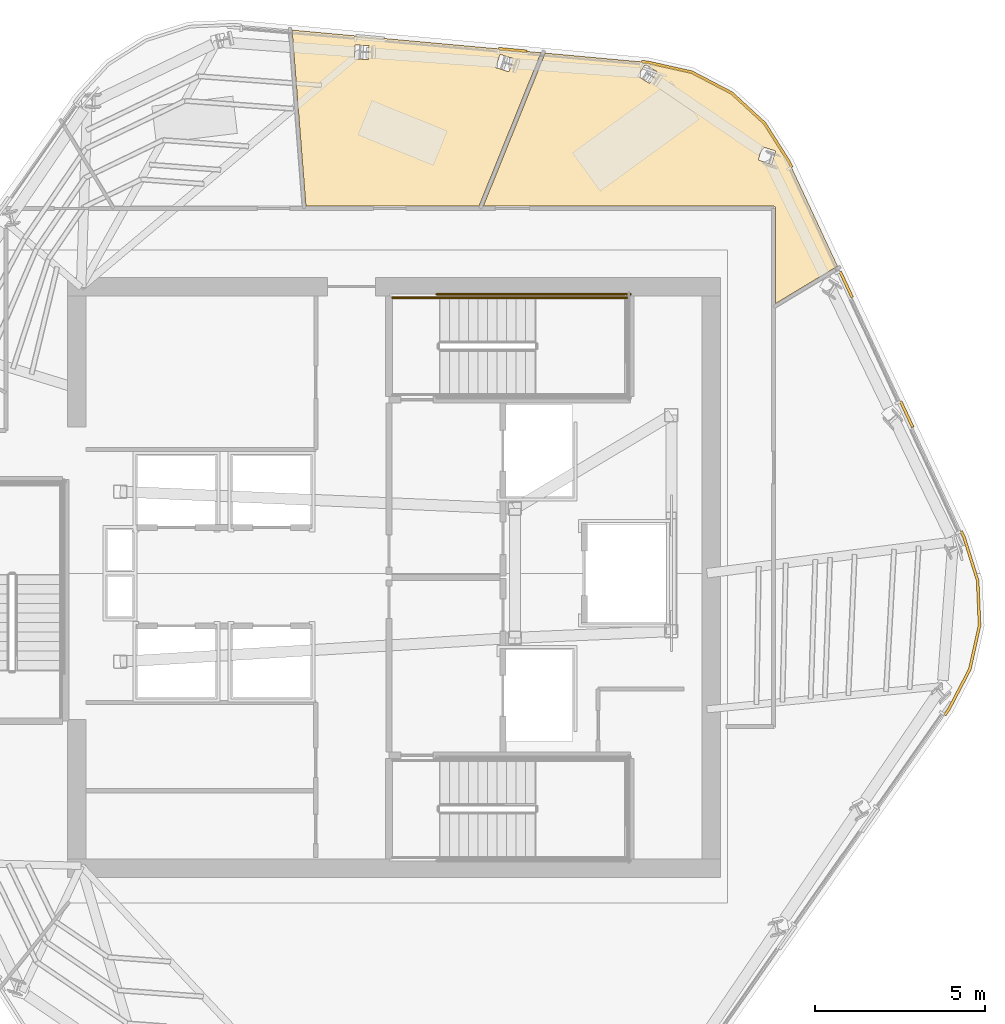
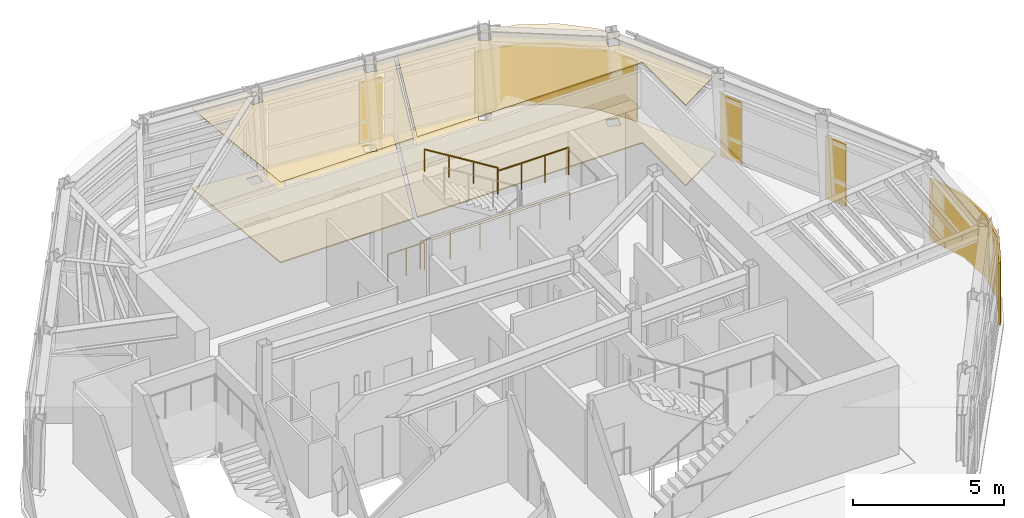
# One storey, part 11 of 12: 9 coverings, 4 railings.
"""IFC4 building model written with IfcOpenShell, lengths in metres."""

from ifc_helpers import new_model, si_unit, direction, frame, origin, origin_2d, place, context, subcontext, project, spatial, polyline, circle, outline, extrude, material, layer, layer_set, type_object, element, save


model = new_model("IFC4")

# Units and contexts
model_context = context("Model", 3, precision=1e-05, world=origin(), true_north=direction((0.0, 1.0)))
body_context = subcontext(model_context, "Body", "Model", "MODEL_VIEW")
ifc_project = project(units=[si_unit("LENGTHUNIT", "METRE"), si_unit("AREAUNIT", "SQUARE_METRE"), si_unit("VOLUMEUNIT", "CUBIC_METRE"), si_unit("PLANEANGLEUNIT", "RADIAN"), si_unit("MASSUNIT", "GRAM", prefix="KILO")], contexts=[model_context])

# Site, building, storey
site_placement = place(None, origin())
site = spatial("IfcSite", under=ifc_project, at=site_placement, CompositionType="ELEMENT")
building_placement = place(site_placement, origin())
building = spatial("IfcBuilding", under=site, at=building_placement, Name="Valkerne Bourse Tower", CompositionType="ELEMENT")
storey_placement = place(building_placement, frame((0.0, 0.0, 262.199951171875)))
storey = spatial("IfcBuildingStorey", under=building, at=storey_placement, Name="L66", CompositionType="ELEMENT", Elevation=262.199951171875)

# Coverings
ifc_material_1 = material(Name="Mineral Fiber Acoustic Ceiling Tile", Category="acoustic")
ifc_layer_1 = layer(ifc_material_1, 0.02490234375)
ifc_layer_set_1 = layer_set([ifc_layer_1], Name="Mineral Fiber Acoustic Ceiling Tile")
covering_type_1 = type_object("IfcCoveringType", Name="COV-CEIL-ACT", PredefinedType="CEILING", material=ifc_layer_set_1)
covering_1_placement = place(storey_placement, frame((0.0, 0.0, 3.25)))
element("IfcCovering", 1, at=covering_1_placement, inside=storey, type_object=covering_type_1, Name="L66 Suspended Ceiling 04", PredefinedType="CEILING", context=body_context, shape_type="SweptSolid", body=[
    extrude(outline(polyline([(44.210205078125, 37.7890625), (43.802734375, 42.964599609375), (51.117919921875, 42.299560546875), (49.29541015625, 37.7890625), (44.210205078125, 37.7890625)]), holes=[polyline([(46.043701171875, 42.10302734375), (46.056884765625, 42.51220703125), (45.6513671875, 42.525390625), (45.649169921875, 42.525146484375), (45.6357421875, 42.1162109375), (46.04150390625, 42.102783203125), (46.043701171875, 42.10302734375)]), polyline([(50.302978515625, 42.129638671875), (49.916015625, 42.252685546875), (49.913818359375, 42.253173828125), (49.789794921875, 41.863037109375), (50.1767578125, 41.739990234375), (50.178955078125, 41.739501953125), (50.302978515625, 42.129638671875)])]), origin(), (0.0, 0.0, 1.0), 0.025146484375),
])
covering_2_placement = place(storey_placement, frame((0.0, 0.0, 3.25)))
element("IfcCovering", 2, at=covering_2_placement, inside=storey, type_object=covering_type_1, Name="L66 Suspended Ceiling 06", PredefinedType="CEILING", context=body_context, shape_type="SweptSolid", body=[
    extrude(outline(polyline([(56.718994140625, 41.11328125), (57.6904296875, 40.22021484375), (58.402587890625, 39.097900390625), (59.833740234375, 36.02783203125), (58.01904296875, 34.931884765625), (58.01904296875, 37.720703125), (58.001708984375, 37.76611328125), (57.9609375, 37.7880859375), (49.422607421875, 37.7890625), (51.240478515625, 42.28857421875), (54.25244140625, 42.0146484375), (55.549560546875, 41.724609375), (56.718994140625, 41.11328125)]), holes=[polyline([(58.015380859375, 39.413818359375), (57.625, 39.5341796875), (57.50439453125, 39.145751953125), (57.506103515625, 39.144287109375), (57.896484375, 39.023681640625), (58.01708984375, 39.412109375), (58.015380859375, 39.413818359375)]), polyline([(54.185302734375, 41.959716796875), (54.18310546875, 41.960693359375), (53.96435546875, 41.61474609375), (54.307373046875, 41.397705078125), (54.309326171875, 41.396484375), (54.5283203125, 41.742431640625), (54.185302734375, 41.959716796875)])]), origin(), (0.0, 0.0, 1.0), 0.025146484375),
])
ifc_material_2 = material(Name="Bronze Anodised Aluminium AA 6063-T6", Category="aluminium")
ifc_layer_2 = layer(ifc_material_2, 0.06005859375)
ifc_layer_set_2 = layer_set([ifc_layer_2], Name="Bronze Anodised Aluminium AA 6063-T6")
covering_type_2 = type_object("IfcCoveringType", Name="COV-CRN-ALUM", PredefinedType="CLADDING", material=ifc_layer_set_2)
covering_3_placement = place(storey_placement, origin())
element("IfcCovering", 3, at=covering_3_placement, inside=storey, type_object=covering_type_2, Name="L66 Wind-Shaped Corner Aluminium Cladding 01", PredefinedType="CLADDING", context=body_context, shape_type="SweptSolid", body=[
    extrude(outline(polyline([(63.99365234375, 26.79052734375), (64.04931640625, 25.460693359375), (63.759033203125, 24.16162109375), (63.139404296875, 22.97607421875), (63.021240234375, 22.80859375), (62.955810546875, 22.8544921875), (63.07080078125, 23.017822265625), (63.683349609375, 24.189208984375), (63.968994140625, 25.4677734375), (63.914306640625, 26.776611328125), (63.518798828125, 28.0380859375), (63.4345703125, 28.218994140625), (63.507080078125, 28.252685546875), (63.59375, 28.06689453125), (63.99365234375, 26.79052734375)])), origin(), (0.0, 0.0, 1.0), 2.5),
])
covering_4_placement = place(storey_placement, origin())
element("IfcCovering", 4, at=covering_4_placement, inside=storey, type_object=covering_type_2, Name="L66 Wind-Shaped Corner Aluminium Cladding 15", PredefinedType="CLADDING", context=body_context, shape_type="SweptSolid", body=[
    extrude(outline(polyline([(50.708740234375, 42.381103515625), (50.70166015625, 42.30126953125), (49.864990234375, 42.37744140625), (49.872314453125, 42.45703125), (50.708740234375, 42.381103515625)])), origin(), (0.0, 0.0, 1.0), 2.5),
])
covering_5_placement = place(storey_placement, origin())
element("IfcCovering", 5, at=covering_5_placement, inside=storey, type_object=covering_type_2, Name="L66 Wind-Shaped Corner Aluminium Cladding 16", PredefinedType="CLADDING", context=body_context, shape_type="SweptSolid", body=[
    extrude(outline(polyline([(54.25927734375, 42.05810546875), (55.564697265625, 41.766357421875), (56.744384765625, 41.149658203125), (57.724365234375, 40.24853515625), (58.441162109375, 39.119140625), (58.522705078125, 38.944091796875), (58.4501953125, 38.910400390625), (58.370849609375, 39.08056640625), (57.66259765625, 40.19677734375), (56.697998046875, 41.083740234375), (55.537109375, 41.690673828125), (54.246826171875, 41.97900390625), (54.059814453125, 41.99609375), (54.06689453125, 42.07568359375), (54.25927734375, 42.05810546875)])), origin(), (0.0, 0.0, 1.0), 2.5),
])
covering_6_placement = place(storey_placement, origin())
element("IfcCovering", 6, at=covering_6_placement, inside=storey, type_object=covering_type_2, Name="L66 Wind-Shaped Corner Aluminium Cladding 17", PredefinedType="CLADDING", context=body_context, shape_type="SweptSolid", body=[
    extrude(outline(polyline([(60.302490234375, 35.12646484375), (60.22998046875, 35.0927734375), (59.875, 35.85400390625), (59.947509765625, 35.8876953125), (60.302490234375, 35.12646484375)])), origin(), (0.0, 0.0, 1.0), 2.5),
])
covering_7_placement = place(storey_placement, origin())
element("IfcCovering", 7, at=covering_7_placement, inside=storey, type_object=covering_type_2, Name="L66 Wind-Shaped Corner Aluminium Cladding 18", PredefinedType="CLADDING", context=body_context, shape_type="SweptSolid", body=[
    extrude(outline(polyline([(62.082275390625, 31.30908203125), (62.009765625, 31.275390625), (61.65478515625, 32.03662109375), (61.727294921875, 32.0703125), (62.082275390625, 31.30908203125)])), origin(), (0.0, 0.0, 1.0), 2.5),
])
ifc_material_3 = material(Name="Galvanised Painted Steel", Category="steel")
ifc_layer_3 = layer(ifc_material_3, 0.044921875)
ifc_layer_set_3 = layer_set([ifc_layer_3], Name="Galvanised Painted Steel")
covering_type_3 = type_object("IfcCoveringType", Name="COV-FLR-RAF", PredefinedType="FLOORING", material=ifc_layer_set_3)
covering_8_placement = place(storey_placement, origin())
element("IfcCovering", 8, at=covering_8_placement, inside=storey, type_object=covering_type_3, Name="L66 Floor Finish 04", PredefinedType="FLOORING", context=body_context, shape_type="SweptSolid", body=[
    extrude(outline(polyline([(44.210205078125, 37.7890625), (43.802734375, 42.964599609375), (51.117919921875, 42.299560546875), (49.29541015625, 37.7890625), (44.210205078125, 37.7890625)]), holes=[polyline([(46.043701171875, 42.10302734375), (46.056884765625, 42.51220703125), (45.6513671875, 42.525390625), (45.649169921875, 42.525146484375), (45.6357421875, 42.1162109375), (46.04150390625, 42.102783203125), (46.043701171875, 42.10302734375)]), polyline([(50.302978515625, 42.129638671875), (49.916015625, 42.252685546875), (49.913818359375, 42.253173828125), (49.789794921875, 41.863037109375), (50.1767578125, 41.739990234375), (50.178955078125, 41.739501953125), (50.302978515625, 42.129638671875)])]), origin(), (0.0, 0.0, 1.0), 0.045166015625),
])
covering_9_placement = place(storey_placement, origin())
element("IfcCovering", 9, at=covering_9_placement, inside=storey, type_object=covering_type_3, Name="L66 Floor Finish 06", PredefinedType="FLOORING", context=body_context, shape_type="SweptSolid", body=[
    extrude(outline(polyline([(56.718994140625, 41.11328125), (57.6904296875, 40.22021484375), (58.402587890625, 39.097900390625), (59.833740234375, 36.02783203125), (58.01904296875, 34.931884765625), (58.01904296875, 37.720703125), (58.001708984375, 37.76611328125), (57.9609375, 37.7880859375), (49.422607421875, 37.7890625), (51.240478515625, 42.28857421875), (54.25244140625, 42.0146484375), (55.549560546875, 41.724609375), (56.718994140625, 41.11328125)]), holes=[polyline([(58.015380859375, 39.413818359375), (57.625, 39.5341796875), (57.50439453125, 39.145751953125), (57.506103515625, 39.144287109375), (57.896484375, 39.023681640625), (58.01708984375, 39.412109375), (58.015380859375, 39.413818359375)]), polyline([(54.185302734375, 41.959716796875), (54.18310546875, 41.960693359375), (53.96435546875, 41.61474609375), (54.307373046875, 41.397705078125), (54.309326171875, 41.396484375), (54.5283203125, 41.742431640625), (54.185302734375, 41.959716796875)])]), origin(), (0.0, 0.0, 1.0), 0.045166015625),
])

# Railings
railing_type_1 = type_object("IfcRailingType", Name="RLG-ST-GUARD-1120", PredefinedType="GUARDRAIL", material=ifc_material_3)
railing_1_placement = place(storey_placement, frame((50.949951171875, 35.10009765625, 1.900146484375)))
element("IfcRailing", 10, at=railing_1_placement, inside=storey, type_object=railing_type_1, Name="L66 ST-2 stair guard 4", PredefinedType="GUARDRAIL", context=body_context, shape_type="SweptSolid", body=[
    extrude(circle(Radius=0.02392578125, at=origin_2d()), frame((0.0, 0.0, 1.09619140625), z_axis=(1.0, 0.0, 0.0), x_axis=(0.0, 1.0, 0.0)), (0.0, 0.0, 1.0), 2.699951171875),
    extrude(circle(Radius=0.02099609375, at=origin_2d()), origin(), (0.0, 0.0, 1.0), 1.072021484375),
    extrude(circle(Radius=0.02099609375, at=origin_2d()), frame((0.89990234375, 0.0, 0.0)), (0.0, 0.0, 1.0), 1.072021484375),
    extrude(circle(Radius=0.02099609375, at=origin_2d()), frame((1.800048828125, 0.0, 0.0)), (0.0, 0.0, 1.0), 1.072021484375),
    extrude(circle(Radius=0.02099609375, at=origin_2d()), frame((2.699951171875, 0.0, 0.0)), (0.0, 0.0, 1.0), 1.072021484375),
])
railing_2_placement = place(storey_placement, frame((46.75, 35.10009765625, 0.0)))
element("IfcRailing", 11, at=railing_2_placement, inside=storey, type_object=railing_type_1, Name="L66 ST-2 stair guard 9", PredefinedType="GUARDRAIL", context=body_context, shape_type="SweptSolid", body=[
    extrude(circle(Radius=0.02392578125, at=origin_2d()), frame((0.0, 0.0, 1.09619140625), z_axis=(1.0, 0.0, 0.0), x_axis=(0.0, 1.0, 0.0)), (0.0, 0.0, 1.0), 1.39990234375),
    extrude(circle(Radius=0.02099609375, at=origin_2d()), origin(), (0.0, 0.0, 1.0), 1.072021484375),
    extrude(circle(Radius=0.02099609375, at=origin_2d()), frame((0.699951171875, 0.0, 0.0)), (0.0, 0.0, 1.0), 1.072021484375),
    extrude(circle(Radius=0.02099609375, at=origin_2d()), frame((1.39990234375, 0.0, 0.0)), (0.0, 0.0, 1.0), 1.072021484375),
])
railing_3_placement = place(storey_placement, frame((48.050048828125, 35.199951171875, 0.0)))
element("IfcRailing", 12, at=railing_3_placement, inside=storey, type_object=railing_type_1, Name="L66 ST-2 stair guard 11", PredefinedType="GUARDRAIL", context=body_context, shape_type="SweptSolid", body=[
    extrude(circle(Radius=0.02392578125, at=origin_2d()), frame((0.0, 0.0, 1.09619140625), z_axis=(1.0, 0.0, 0.0), x_axis=(0.0, 1.0, 0.0)), (0.0, 0.0, 1.0), 5.699951171875),
    extrude(circle(Radius=0.02099609375, at=origin_2d()), origin(), (0.0, 0.0, 1.0), 1.072021484375),
    extrude(circle(Radius=0.02099609375, at=origin_2d()), frame((1.139892578125, 0.0, 0.0)), (0.0, 0.0, 1.0), 1.072021484375),
    extrude(circle(Radius=0.02099609375, at=origin_2d()), frame((2.280029296875, 0.0, 0.0)), (0.0, 0.0, 1.0), 1.072021484375),
    extrude(circle(Radius=0.02099609375, at=origin_2d()), frame((3.419921875, 0.0, 0.0)), (0.0, 0.0, 1.0), 1.072021484375),
    extrude(circle(Radius=0.02099609375, at=origin_2d()), frame((4.56005859375, 0.0, 0.0)), (0.0, 0.0, 1.0), 1.072021484375),
    extrude(circle(Radius=0.02099609375, at=origin_2d()), frame((5.699951171875, 0.0, 0.0)), (0.0, 0.0, 1.0), 1.072021484375),
])
ifc_material_4 = material(Name="Stainless Steel AISI 316", Category="steel")
railing_type_2 = type_object("IfcRailingType", Name="RLG-ST-HANDRAIL-900", PredefinedType="HANDRAIL", material=ifc_material_4)
railing_4_placement = place(storey_placement, frame((50.949951171875, 35.10009765625, 2.24560546875)))
element("IfcRailing", 13, at=railing_4_placement, inside=storey, type_object=railing_type_2, Name="L66 ST-2 stair handrail 2", PredefinedType="HANDRAIL", context=body_context, shape_type="SweptSolid", body=[
    extrude(circle(Radius=0.02392578125, at=origin_2d()), frame((0.0, 0.0, 0.8759765625), z_axis=(-0.851122791225, 0.0, 0.524966660138), x_axis=(0.0, -1.0, 0.0)), (0.0, 0.0, 1.0), 3.289794921875),
    extrude(circle(Radius=0.02099609375, at=origin_2d()), origin(), (0.0, 0.0, 1.0), 0.851806640625),
    extrude(circle(Radius=0.02099609375, at=origin_2d()), frame((-0.933349609375, 0.0, 0.57568359375)), (0.0, 0.0, 1.0), 0.851806640625),
    extrude(circle(Radius=0.02099609375, at=origin_2d()), frame((-1.86669921875, 0.0, 1.1513671875)), (0.0, 0.0, 1.0), 0.851806640625),
    extrude(circle(Radius=0.02099609375, at=origin_2d()), frame((-2.800048828125, 0.0, 1.72705078125)), (0.0, 0.0, 1.0), 0.851806640625),
])

save(model, "model.ifc")
